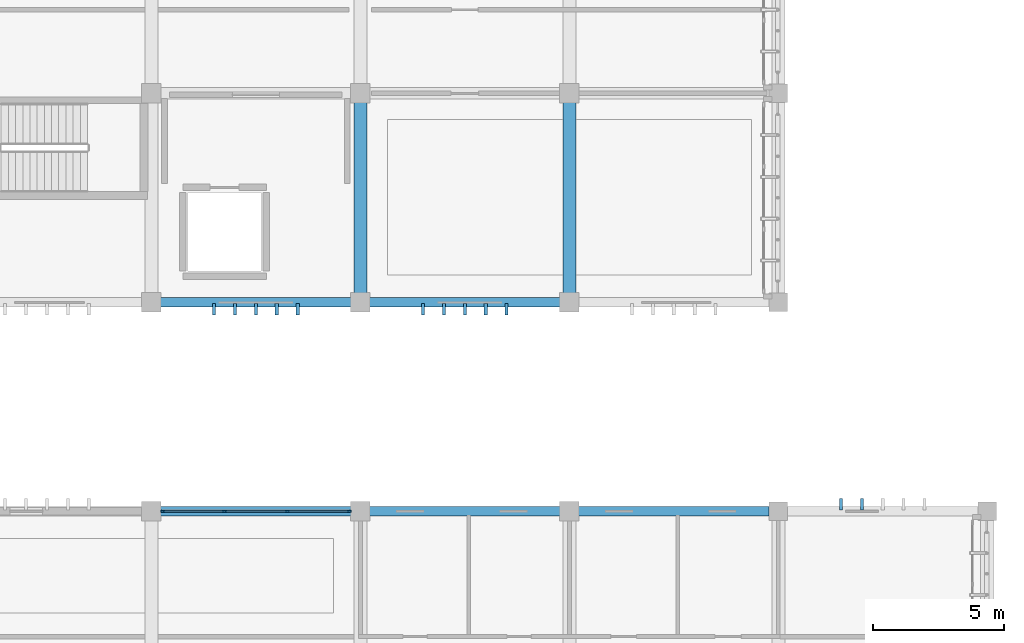
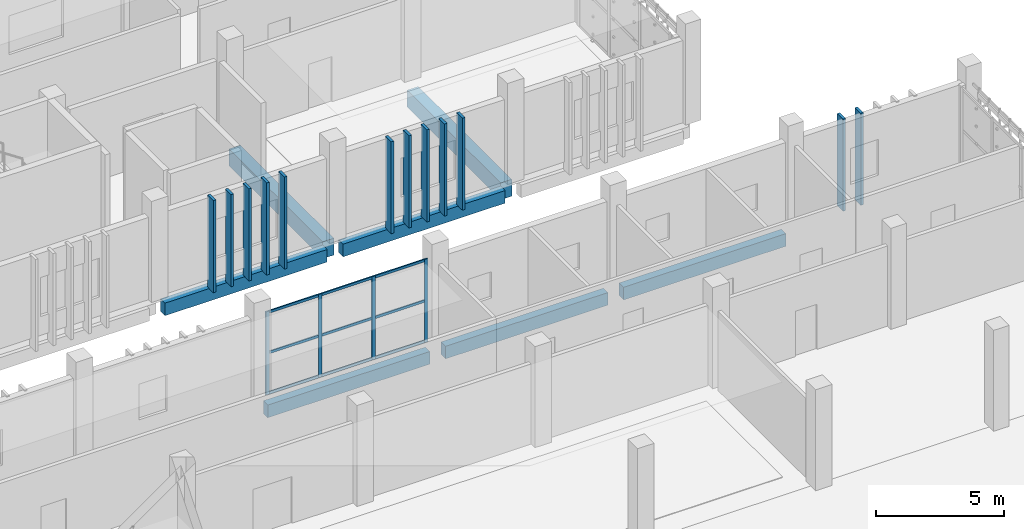
# One storey, part 69 of 117: 25 members, 7 beams, 1 element without a shape of its own.
"""IFC4 building model written with IfcOpenShell, lengths in metres."""

import ifcopenshell
import ifcopenshell.guid

model = None  # the IFC model being written
_history = None  # IfcOwnerHistory: only IFC2X3 demands one
_inside = {}  # id of a spatial element -> (the spatial element, [elements in it])
_under = {}  # id of a project, library or spatial element -> (it, [spatial elements below it])
_declared = {}  # id of a project -> (the project, [libraries it declares])
_typed = {}  # id of a type object -> (the type object, [elements of that type])
_made_of = {}  # id of a material, layer set ... -> (it, [elements and type objects made of it])


def new_model(schema):
    """Start an empty IFC model of exactly this schema.

    Asked for "IFC4X3", IfcOpenShell would pick the latest addendum, in which some entities
    have other attributes; the version numbers below select the first issue.
    IFC2X3 requires an IfcOwnerHistory on every rooted entity: one is made here for all.
    """
    global model, _history
    if schema == "IFC4X3":
        model = ifcopenshell.file(schema_version=(4, 3, 0, 0))
    else:
        model = ifcopenshell.file(schema=schema)
    _inside.clear()
    _under.clear()
    _declared.clear()
    _typed.clear()
    _made_of.clear()
    _history = None
    if model.schema == "IFC2X3":
        org = make("IfcOrganization", Name="unknown")
        user = make(
            "IfcPersonAndOrganization",
            ThePerson=make("IfcPerson", FamilyName="unknown"),
            TheOrganization=org,
        )
        app = make(
            "IfcApplication",
            ApplicationDeveloper=org,
            Version="unknown",
            ApplicationFullName="unknown",
            ApplicationIdentifier="unknown",
        )
        _history = make(
            "IfcOwnerHistory",
            OwningUser=user,
            OwningApplication=app,
            ChangeAction="ADDED",
            CreationDate=0,
        )
    return model


def make(cls, **values):
    """One entity of the class cls with the attributes given. An attribute that is None is left unset."""
    return model.create_entity(
        cls, **{name: value for name, value in values.items() if value is not None}
    )


def rooted(cls, **values):
    """An entity with a GlobalId (a new one), such as an element, a storey or a relation."""
    return make(cls, GlobalId=ifcopenshell.guid.new(), OwnerHistory=_history, **values)


def si_unit(unit_type, name, prefix=None):
    """IfcSIUnit, for example si_unit("LENGTHUNIT", "METRE", prefix="MILLI")."""
    return make("IfcSIUnit", UnitType=unit_type, Prefix=prefix, Name=name)


def assignment(units):
    """IfcUnitAssignment: the units of a project."""
    return None if units is None else make("IfcUnitAssignment", Units=units)


def point(xyz):
    """IfcCartesianPoint."""
    return None if xyz is None else make("IfcCartesianPoint", Coordinates=xyz)


def direction(xyz):
    """IfcDirection."""
    return None if xyz is None else make("IfcDirection", DirectionRatios=xyz)


def frame(location, z_axis=None, x_axis=None):
    """IfcAxis2Placement3D, a coordinate frame: its origin and axes. An axis left out is left unset."""
    return make(
        "IfcAxis2Placement3D",
        Location=point(location),
        Axis=direction(z_axis),
        RefDirection=direction(x_axis),
    )


def frame_2d(location, x_axis=None):
    """IfcAxis2Placement2D, a coordinate frame in the plane: its origin and x axis."""
    return make(
        "IfcAxis2Placement2D", Location=point(location), RefDirection=direction(x_axis)
    )


def origin():
    """The frame at (0, 0, 0) with its axes left unset."""
    return frame((0.0, 0.0, 0.0))


def origin_2d():
    """The frame at (0, 0) in the plane with its x axis left unset."""
    return frame_2d((0.0, 0.0))


def place(relative_to, where):
    """IfcLocalPlacement: puts the frame where relative to a parent placement (None: the world)."""
    return make(
        "IfcLocalPlacement", PlacementRelTo=relative_to, RelativePlacement=where
    )


def context(
    kind, dimensions, precision=None, world=None, true_north=None, identifier=None
):
    """IfcGeometricRepresentationContext, for example the 3D "Model" context."""
    return make(
        "IfcGeometricRepresentationContext",
        ContextIdentifier=identifier,
        ContextType=kind,
        CoordinateSpaceDimension=dimensions,
        Precision=precision,
        WorldCoordinateSystem=world,
        TrueNorth=true_north,
    )


def subcontext(parent, identifier, kind, view, scale=None):
    """IfcGeometricRepresentationSubContext, for example "Body" below "Model"."""
    return make(
        "IfcGeometricRepresentationSubContext",
        ContextIdentifier=identifier,
        ContextType=kind,
        ParentContext=parent,
        TargetScale=scale,
        TargetView=view,
    )


def project(units=None, contexts=None):
    """IfcProject with its units and contexts."""
    return rooted(
        "IfcProject",
        Name="project",
        RepresentationContexts=contexts,
        UnitsInContext=assignment(units),
    )


def spatial(cls, under=None, at=None, **own):
    """A site, building, storey or space (cls), placed at a placement, below another one or the project."""
    s = rooted(cls, ObjectPlacement=at, **own)
    if under is not None:
        _under.setdefault(under.id(), (under, []))[1].append(s)
    return s


def profile(cls, at=None, kind="AREA", **sizes):
    """A parametric profile (cls). Its sizes go by their IFC names, for example OverallWidth=200.0."""
    return make(cls, ProfileType=kind, Position=at, **sizes)


def rectangle(**sizes):
    """IfcRectangleProfileDef."""
    return profile("IfcRectangleProfileDef", **sizes)


def extrude(swept, where, along, depth):
    """IfcExtrudedAreaSolid: the profile swept, set in the frame where, extruded along a direction by depth."""
    return make(
        "IfcExtrudedAreaSolid",
        SweptArea=swept,
        Position=where,
        ExtrudedDirection=direction(along),
        Depth=depth,
    )


def shape(context_of_items, identifier, shape_type, items):
    """IfcShapeRepresentation: the items that make up one representation, for example the "Body"."""
    return make(
        "IfcShapeRepresentation",
        ContextOfItems=context_of_items,
        RepresentationIdentifier=identifier,
        RepresentationType=shape_type,
        Items=items,
    )


def material(Name=None, Category=None):
    """IfcMaterial."""
    return make("IfcMaterial", Name=Name, Category=Category)


def layer(
    of_material, thickness, ventilated=None, Name=None, Category=None, Priority=None
):
    """IfcMaterialLayer: one layer of a wall or slab, of a material (None: an air gap)."""
    return make(
        "IfcMaterialLayer",
        Material=of_material,
        LayerThickness=thickness,
        IsVentilated=ventilated,
        Name=Name,
        Category=Category,
        Priority=Priority,
    )


def layer_set(layers, Name=None):
    """IfcMaterialLayerSet."""
    return make("IfcMaterialLayerSet", MaterialLayers=layers, LayerSetName=Name)


def material_profile(
    of_material, cross_section, Name=None, Category=None, Priority=None
):
    """IfcMaterialProfile: a cross section and its material."""
    return make(
        "IfcMaterialProfile",
        Name=Name,
        Material=of_material,
        Profile=cross_section,
        Priority=Priority,
        Category=Category,
    )


def profile_set(profiles, Name=None, composite=None):
    """IfcMaterialProfileSet."""
    return make(
        "IfcMaterialProfileSet",
        Name=Name,
        MaterialProfiles=profiles,
        CompositeProfile=composite,
    )


def made_of(thing, what):
    """Note that an element or type object is made of a material, layer set ...; save() writes the relation."""
    if what is not None:
        _made_of.setdefault(what.id(), (what, []))[1].append(thing)
    return thing


def type_object(cls, material=None, **own):
    """A type object (cls), such as IfcWallType, which elements share."""
    return made_of(rooted(cls, **own), material)


def element(
    cls,
    number,
    at=None,
    inside=None,
    cuts=None,
    type_object=None,
    material=None,
    context=None,
    identifier="Body",
    shape_type=None,
    held_by="IfcProductDefinitionShape",
    body=None,
    shapes=None,
    **own,
):
    """One element of the class cls, such as IfcWall. Its Tag is "e" and its number.

    at: its placement. inside: the storey or other place that contains it. cuts: it is an
    opening in that element (IfcRelVoidsElement). A single representation is given by context,
    identifier, shape_type and body (its items); several are given by shapes. held_by: the class
    of the entity that holds the representations. save() writes the other relations.
    """
    e = rooted(cls, Tag="e%d" % number, ObjectPlacement=at, **own)
    if body is not None:
        shapes = [shape(context, identifier, shape_type, body)]
    if shapes is not None:
        e.Representation = make(held_by, Representations=shapes)
    if inside is not None:
        _inside.setdefault(inside.id(), (inside, []))[1].append(e)
    if cuts is not None:
        rooted(
            "IfcRelVoidsElement", RelatingBuildingElement=cuts, RelatedOpeningElement=e
        )
    if type_object is not None:
        _typed.setdefault(type_object.id(), (type_object, []))[1].append(e)
    return made_of(e, material)


def aggregate(whole, parts):
    """IfcRelAggregates: a whole, such as a stair, and the parts it consists of."""
    return rooted("IfcRelAggregates", RelatingObject=whole, RelatedObjects=parts)


def save(model, path):
    """Write the relations noted so far, then the file.

    IfcRelAggregates (storeys below a building ...), IfcRelContainedInSpatialStructure (elements
    in a storey), IfcRelDefinesByType, IfcRelAssociatesMaterial and IfcRelDeclares: one each for
    every whole, place, type object, material and project.
    """
    for whole, parts in _under.values():
        aggregate(whole, parts)
    for where, things in _inside.values():
        rooted(
            "IfcRelContainedInSpatialStructure",
            RelatedElements=things,
            RelatingStructure=where,
        )
    for kind, things in _typed.values():
        rooted("IfcRelDefinesByType", RelatedObjects=things, RelatingType=kind)
    for what, things in _made_of.values():
        rooted("IfcRelAssociatesMaterial", RelatedObjects=things, RelatingMaterial=what)
    for by, libraries in _declared.values():
        rooted("IfcRelDeclares", RelatingContext=by, RelatedDefinitions=libraries)
    model.write(path)


model = new_model("IFC4")

# Units and contexts
model_context = context("Model", 3, precision=1e-05, world=origin(), true_north=direction((0.0, 1.0)))
body_context = subcontext(model_context, "Body", "Model", "MODEL_VIEW")
ifc_project = project(units=[si_unit("LENGTHUNIT", "METRE"), si_unit("AREAUNIT", "SQUARE_METRE"), si_unit("VOLUMEUNIT", "CUBIC_METRE"), si_unit("PLANEANGLEUNIT", "RADIAN"), si_unit("MASSUNIT", "GRAM", prefix="KILO")], contexts=[model_context])

# Site, building, storey
site_placement = place(None, origin())
site = spatial("IfcSite", under=ifc_project, at=site_placement, CompositionType="ELEMENT")
building_placement = place(site_placement, origin())
building = spatial("IfcBuilding", under=site, at=building_placement, Name="Jelvoka-Kovrelna Polytechnic", CompositionType="ELEMENT")
storey_placement = place(building_placement, origin())
storey = spatial("IfcBuildingStorey", under=building, at=storey_placement, Name="L01", CompositionType="ELEMENT", Elevation=0.0)

# Beams
ifc_material_1 = material(Name="Concrete C40/50", Category="concrete")
ifc_material_profile_1 = material_profile(ifc_material_1, rectangle(XDim=0.5, YDim=0.800048828125, at=origin_2d()), Name="RC 500x800")
ifc_profile_set_1 = profile_set([ifc_material_profile_1], Name="Concrete C40/50")
beam_type_1 = type_object("IfcBeamType", Name="Beam_RC_500x800", PredefinedType="BEAM", material=ifc_profile_set_1)
for number, where, z_axis, x_axis, name in (
    (1, (176.0, 56.35498046875, -0.804931640625), (0.0, 1.0, 0.0), (-1.0, 0.0, 0.0), "L01 beam 0517"),
    (2, (184.0, 56.35498046875, -0.804931640625), (0.0, 1.0, 0.0), (-1.0, 0.0, 0.0), "L01 beam 0519"),
):
    element("IfcBeam", number, at=place(storey_placement, frame(where, z_axis=z_axis, x_axis=x_axis)), inside=storey, type_object=beam_type_1, Name=name, PredefinedType="BEAM", context=body_context, shape_type="SweptSolid", body=[
        extrude(rectangle(XDim=0.5, YDim=0.800048828125, at=origin_2d()), origin(), (0.0, 0.0, 1.0), 7.2900390625),
    ])

# Members
ifc_material_2 = material(Name="Precast concrete C40/50", Category="concrete")
ifc_material_profile_2 = material_profile(ifc_material_2, rectangle(XDim=0.1201171875, YDim=0.449951171875, at=origin_2d()), Name="PC 120x450")
ifc_profile_set_2 = profile_set([ifc_material_profile_2], Name="Precast concrete C40/50")
member_type_1 = type_object("IfcMemberType", Name="Louvre_Fin_120x450", PredefinedType="USERDEFINED", material=ifc_profile_set_2)
for number, where, z_axis, x_axis, name in (
    (3, (194.39990234375, 48.264892578125, -0.419921875), (0.0, 0.0, 1.0), (1.0, 0.0, 0.0), "L01 B2E north vertical solar louvre fin 0896"),
    (4, (195.199951171875, 48.264892578125, -0.419921875), (0.0, 0.0, 1.0), (1.0, 0.0, 0.0), "L01 B2E north vertical solar louvre fin 0897"),
    (5, (170.39990234375, 55.735107421875, -0.419921875), (0.0, 0.0, 1.0), (1.0, 0.0, 0.0), "L01 B3 south vertical solar louvre fin 1296"),
    (6, (171.199951171875, 55.735107421875, -0.419921875), (0.0, 0.0, 1.0), (1.0, 0.0, 0.0), "L01 B3 south vertical solar louvre fin 1297"),
    (7, (172.0, 55.735107421875, -0.419921875), (0.0, 0.0, 1.0), (1.0, 0.0, 0.0), "L01 B3 south vertical solar louvre fin 1298"),
    (8, (172.800048828125, 55.735107421875, -0.419921875), (0.0, 0.0, 1.0), (1.0, 0.0, 0.0), "L01 B3 south vertical solar louvre fin 1299"),
    (9, (173.60009765625, 55.735107421875, -0.419921875), (0.0, 0.0, 1.0), (1.0, 0.0, 0.0), "L01 B3 south vertical solar louvre fin 1300"),
    (10, (178.39990234375, 55.735107421875, -0.419921875), (0.0, 0.0, 1.0), (1.0, 0.0, 0.0), "L01 B3 south vertical solar louvre fin 1306"),
    (11, (179.199951171875, 55.735107421875, -0.419921875), (0.0, 0.0, 1.0), (1.0, 0.0, 0.0), "L01 B3 south vertical solar louvre fin 1307"),
    (12, (180.0, 55.735107421875, -0.419921875), (0.0, 0.0, 1.0), (1.0, 0.0, 0.0), "L01 B3 south vertical solar louvre fin 1308"),
    (13, (180.800048828125, 55.735107421875, -0.419921875), (0.0, 0.0, 1.0), (1.0, 0.0, 0.0), "L01 B3 south vertical solar louvre fin 1309"),
    (14, (181.60009765625, 55.735107421875, -0.419921875), (0.0, 0.0, 1.0), (1.0, 0.0, 0.0), "L01 B3 south vertical solar louvre fin 1310"),
):
    element("IfcMember", number, at=place(storey_placement, frame(where, z_axis=z_axis, x_axis=x_axis)), inside=storey, type_object=member_type_1, Name=name, ObjectType="SUNSHADE", PredefinedType="USERDEFINED", context=body_context, shape_type="SweptSolid", body=[
        extrude(rectangle(XDim=0.1201171875, YDim=0.449951171875, at=origin_2d()), origin(), (0.0, 0.0, 1.0), 4.3798828125),
    ])

# Curtain wall, members
ifc_material_3 = material(Name="Anodised aluminium 6063-T6", Category="aluminium")
ifc_layer = layer(ifc_material_3, 0.159912109375)
ifc_layer_set = layer_set([ifc_layer], Name="Anodised aluminium 6063-T6")
curtain_wall_type = type_object("IfcCurtainWallType", Name="CW_Recessed_A", PredefinedType="NOTDEFINED", material=ifc_layer_set)
curtain_wall_placement = place(storey_placement, origin())
curtain_wall = element("IfcCurtainWall", 15, at=curtain_wall_placement, inside=storey, type_object=curtain_wall_type, Name="L01 glazed curtain wall 041", PredefinedType="NOTDEFINED")
ifc_material_4 = material(Name="Anodised aluminium 6063-T6", Category="aluminium")
ifc_material_profile_3 = material_profile(ifc_material_4, rectangle(XDim=0.06005859375, YDim=0.159912109375, at=origin_2d()), Name="ALU 60x160")
ifc_profile_set_3 = profile_set([ifc_material_profile_3], Name="Anodised aluminium 6063-T6")
member_type_2 = type_object("IfcMemberType", Name="Mullion_M-01", PredefinedType="MULLION", material=ifc_profile_set_3)
member_1_placement = place(storey_placement, frame((168.429931640625, 48.0, -0.02490234375), z_axis=(0.0, 0.0, 1.0), x_axis=(0.0, 1.0, 0.0)))
member_1 = element("IfcMember", 16, at=member_1_placement, type_object=member_type_2, Name="CW-01 mullion 1", PredefinedType="MULLION", context=body_context, shape_type="SweptSolid", body=[
    extrude(rectangle(XDim=0.06005859375, YDim=0.159912109375, at=origin_2d()), origin(), (0.0, 0.0, 1.0), 3.9599609375),
])
member_2_placement = place(storey_placement, frame((170.800048828125, 48.0, -0.02490234375), z_axis=(0.0, 0.0, 1.0), x_axis=(0.0, 1.0, 0.0)))
member_2 = element("IfcMember", 17, at=member_2_placement, type_object=member_type_2, Name="CW-01 mullion 2", PredefinedType="MULLION", context=body_context, shape_type="SweptSolid", body=[
    extrude(rectangle(XDim=0.06005859375, YDim=0.159912109375, at=origin_2d()), origin(), (0.0, 0.0, 1.0), 3.9599609375),
])
member_3_placement = place(storey_placement, frame((173.199951171875, 48.0, -0.02490234375), z_axis=(0.0, 0.0, 1.0), x_axis=(0.0, 1.0, 0.0)))
member_3 = element("IfcMember", 18, at=member_3_placement, type_object=member_type_2, Name="CW-01 mullion 3", PredefinedType="MULLION", context=body_context, shape_type="SweptSolid", body=[
    extrude(rectangle(XDim=0.06005859375, YDim=0.159912109375, at=origin_2d()), origin(), (0.0, 0.0, 1.0), 3.9599609375),
])
member_4_placement = place(storey_placement, frame((175.570068359375, 48.0, -0.02490234375), z_axis=(0.0, 0.0, 1.0), x_axis=(0.0, 1.0, 0.0)))
member_4 = element("IfcMember", 19, at=member_4_placement, type_object=member_type_2, Name="CW-01 mullion 4", PredefinedType="MULLION", context=body_context, shape_type="SweptSolid", body=[
    extrude(rectangle(XDim=0.06005859375, YDim=0.159912109375, at=origin_2d()), origin(), (0.0, 0.0, 1.0), 3.9599609375),
])

# Beams
ifc_material_5 = material(Name="Concrete C40/50", Category="concrete")
ifc_material_profile_4 = material_profile(ifc_material_5, rectangle(XDim=0.35009765625, YDim=0.60009765625, at=origin_2d()), Name="RC 350x600")
ifc_profile_set_4 = profile_set([ifc_material_profile_4], Name="Concrete C40/50")
beam_type_2 = type_object("IfcBeamType", Name="Spandrel_RC_350x600", PredefinedType="SPANDREL", material=ifc_profile_set_4)
for number, where, z_axis, x_axis, name in (
    (20, (168.35498046875, 48.0, -0.705078125), (1.0, 0.0, 0.0), (0.0, 1.0, 0.0), "L01 beam 0419"),
    (21, (176.35498046875, 48.0, -0.705078125), (1.0, 0.0, 0.0), (0.0, 1.0, 0.0), "L01 beam 0420"),
    (22, (184.35498046875, 48.0, -0.705078125), (1.0, 0.0, 0.0), (0.0, 1.0, 0.0), "L01 beam 0421"),
    (23, (168.35498046875, 56.0, -0.705078125), (1.0, 0.0, 0.0), (0.0, 1.0, 0.0), "L01 beam 0482"),
    (24, (176.35498046875, 56.0, -0.705078125), (1.0, 0.0, 0.0), (0.0, 1.0, 0.0), "L01 beam 0483"),
):
    element("IfcBeam", number, at=place(storey_placement, frame(where, z_axis=z_axis, x_axis=x_axis)), inside=storey, type_object=beam_type_2, Name=name, PredefinedType="SPANDREL", context=body_context, shape_type="SweptSolid", body=[
        extrude(rectangle(XDim=0.35009765625, YDim=0.60009765625, at=origin_2d()), origin(), (0.0, 0.0, 1.0), 7.2900390625),
    ])

# Member
ifc_material_6 = material(Name="Anodised aluminium 6063-T6", Category="aluminium")
ifc_material_profile_5 = material_profile(ifc_material_6, rectangle(XDim=0.06005859375, YDim=0.1201171875, at=origin_2d()), Name="ALU 60x120")
ifc_profile_set_5 = profile_set([ifc_material_profile_5], Name="Anodised aluminium 6063-T6")
member_type_3 = type_object("IfcMemberType", Name="Transom_T-01", PredefinedType="USERDEFINED", material=ifc_profile_set_5)
member_5_placement = place(storey_placement, frame((168.4599609375, 48.0, 0.030029296875), z_axis=(1.0, 0.0, 0.0), x_axis=(0.0, 1.0, 0.0)))
member_5 = element("IfcMember", 25, at=member_5_placement, type_object=member_type_3, Name="CW-01 transom 1.1", ObjectType="TRANSOM", PredefinedType="USERDEFINED", context=body_context, shape_type="SweptSolid", body=[
    extrude(rectangle(XDim=0.06005859375, YDim=0.1201171875, at=origin_2d()), origin(), (0.0, 0.0, 1.0), 2.31005859375),
])

member_6_placement = place(storey_placement, frame((168.4599609375, 48.0, 1.955078125), z_axis=(1.0, 0.0, 0.0), x_axis=(0.0, 1.0, 0.0)))
member_6 = element("IfcMember", 26, at=member_6_placement, type_object=member_type_3, Name="CW-01 transom 1.2", ObjectType="TRANSOM", PredefinedType="USERDEFINED", context=body_context, shape_type="SweptSolid", body=[
    extrude(rectangle(XDim=0.06005859375, YDim=0.1201171875, at=origin_2d()), origin(), (0.0, 0.0, 1.0), 2.31005859375),
])

member_7_placement = place(storey_placement, frame((168.4599609375, 48.0, 3.8798828125), z_axis=(1.0, 0.0, 0.0), x_axis=(0.0, 1.0, 0.0)))
member_7 = element("IfcMember", 27, at=member_7_placement, type_object=member_type_3, Name="CW-01 transom 1.3", ObjectType="TRANSOM", PredefinedType="USERDEFINED", context=body_context, shape_type="SweptSolid", body=[
    extrude(rectangle(XDim=0.06005859375, YDim=0.1201171875, at=origin_2d()), origin(), (0.0, 0.0, 1.0), 2.31005859375),
])

member_8_placement = place(storey_placement, frame((170.830078125, 48.0, 0.030029296875), z_axis=(1.0, 0.0, 0.0), x_axis=(0.0, 1.0, 0.0)))
member_8 = element("IfcMember", 28, at=member_8_placement, type_object=member_type_3, Name="CW-01 transom 2.1", ObjectType="TRANSOM", PredefinedType="USERDEFINED", context=body_context, shape_type="SweptSolid", body=[
    extrude(rectangle(XDim=0.06005859375, YDim=0.1201171875, at=origin_2d()), origin(), (0.0, 0.0, 1.0), 2.33984375),
])

member_9_placement = place(storey_placement, frame((170.830078125, 48.0, 1.955078125), z_axis=(1.0, 0.0, 0.0), x_axis=(0.0, 1.0, 0.0)))
member_9 = element("IfcMember", 29, at=member_9_placement, type_object=member_type_3, Name="CW-01 transom 2.2", ObjectType="TRANSOM", PredefinedType="USERDEFINED", context=body_context, shape_type="SweptSolid", body=[
    extrude(rectangle(XDim=0.06005859375, YDim=0.1201171875, at=origin_2d()), origin(), (0.0, 0.0, 1.0), 2.33984375),
])

member_10_placement = place(storey_placement, frame((170.830078125, 48.0, 3.8798828125), z_axis=(1.0, 0.0, 0.0), x_axis=(0.0, 1.0, 0.0)))
member_10 = element("IfcMember", 30, at=member_10_placement, type_object=member_type_3, Name="CW-01 transom 2.3", ObjectType="TRANSOM", PredefinedType="USERDEFINED", context=body_context, shape_type="SweptSolid", body=[
    extrude(rectangle(XDim=0.06005859375, YDim=0.1201171875, at=origin_2d()), origin(), (0.0, 0.0, 1.0), 2.33984375),
])

member_11_placement = place(storey_placement, frame((173.22998046875, 48.0, 0.030029296875), z_axis=(1.0, 0.0, 0.0), x_axis=(0.0, 1.0, 0.0)))
member_11 = element("IfcMember", 31, at=member_11_placement, type_object=member_type_3, Name="CW-01 transom 3.1", ObjectType="TRANSOM", PredefinedType="USERDEFINED", context=body_context, shape_type="SweptSolid", body=[
    extrude(rectangle(XDim=0.06005859375, YDim=0.1201171875, at=origin_2d()), origin(), (0.0, 0.0, 1.0), 2.31005859375),
])

member_12_placement = place(storey_placement, frame((173.22998046875, 48.0, 1.955078125), z_axis=(1.0, 0.0, 0.0), x_axis=(0.0, 1.0, 0.0)))
member_12 = element("IfcMember", 32, at=member_12_placement, type_object=member_type_3, Name="CW-01 transom 3.2", ObjectType="TRANSOM", PredefinedType="USERDEFINED", context=body_context, shape_type="SweptSolid", body=[
    extrude(rectangle(XDim=0.06005859375, YDim=0.1201171875, at=origin_2d()), origin(), (0.0, 0.0, 1.0), 2.31005859375),
])

member_13_placement = place(storey_placement, frame((173.22998046875, 48.0, 3.8798828125), z_axis=(1.0, 0.0, 0.0), x_axis=(0.0, 1.0, 0.0)))
member_13 = element("IfcMember", 33, at=member_13_placement, type_object=member_type_3, Name="CW-01 transom 3.3", ObjectType="TRANSOM", PredefinedType="USERDEFINED", context=body_context, shape_type="SweptSolid", body=[
    extrude(rectangle(XDim=0.06005859375, YDim=0.1201171875, at=origin_2d()), origin(), (0.0, 0.0, 1.0), 2.31005859375),
])

aggregate(curtain_wall, [member_1, member_2, member_3, member_4, member_5, member_6, member_7, member_8, member_9, member_10, member_11, member_12, member_13])

save(model, "model.ifc")
